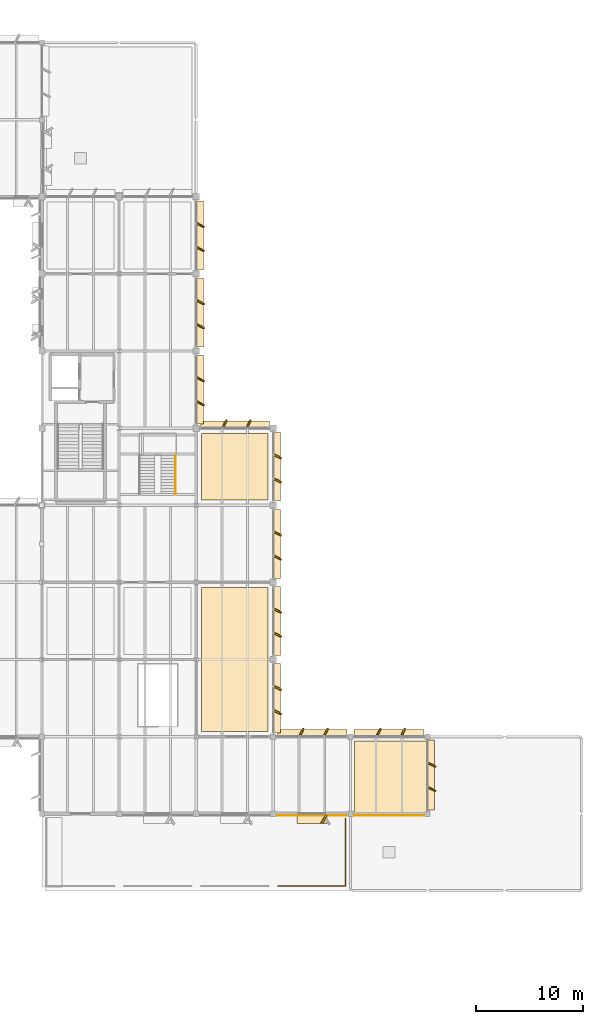
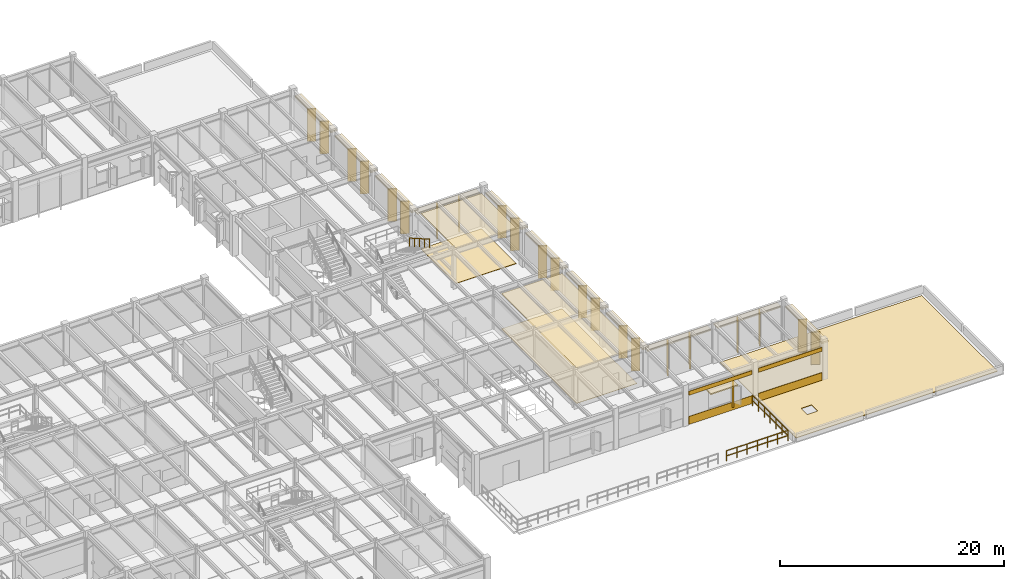
# One storey, part 92 of 92: 44 coverings, 3 railings.
"""IFC4 building model written with IfcOpenShell, lengths in metres."""

from ifc_helpers import new_model, si_unit, direction, frame, frame_2d, origin, origin_2d, place, context, subcontext, project, spatial, polyline, rectangle, circle, outline, extrude, material, layer, layer_set, type_object, element, save


model = new_model("IFC4")

# Units and contexts
model_context = context("Model", 3, precision=1e-05, world=origin(), true_north=direction((0.0, 1.0)))
body_context = subcontext(model_context, "Body", "Model", "MODEL_VIEW")
ifc_project = project(units=[si_unit("LENGTHUNIT", "METRE"), si_unit("AREAUNIT", "SQUARE_METRE"), si_unit("VOLUMEUNIT", "CUBIC_METRE"), si_unit("PLANEANGLEUNIT", "RADIAN"), si_unit("MASSUNIT", "GRAM", prefix="KILO")], contexts=[model_context])

# Site, building, storey
site_placement = place(None, origin())
site = spatial("IfcSite", under=ifc_project, at=site_placement, CompositionType="ELEMENT")
building_placement = place(site_placement, origin())
building = spatial("IfcBuilding", under=site, at=building_placement, Name="Sillqori Civic Hall", CompositionType="ELEMENT")
storey_placement = place(building_placement, frame((0.0, 0.0, 5.39990234375)))
storey = spatial("IfcBuildingStorey", under=building, at=storey_placement, Name="L02", CompositionType="ELEMENT", Elevation=5.39990234375)

# Coverings
ifc_material_1 = material(Name="Acoustic Gypsum Board Assembly 28", Category="gypsum")
ifc_layer_1 = layer(ifc_material_1, 0.028076171875)
ifc_layer_set_1 = layer_set([ifc_layer_1], Name="Acoustic Gypsum Board Assembly 28")
covering_type_1 = type_object("IfcCoveringType", Name="COV-CEIL-G28", PredefinedType="CEILING", material=ifc_layer_set_1)
covering_1_placement = place(storey_placement, frame((0.0, 0.0, 3.873046875)))
element("IfcCovering", 1, at=covering_1_placement, inside=storey, type_object=covering_type_1, Name="Members Library Main Reading Room L02-05 acoustic ceiling", PredefinedType="CEILING", context=body_context, shape_type="SweptSolid", body=[
    extrude(outline(polyline([(137.280029296875, 29.280029296875), (143.52001953125, 29.280029296875), (143.52001953125, 42.719970703125), (137.280029296875, 42.719970703125), (137.280029296875, 29.280029296875)])), origin(), (0.0, 0.0, 1.0), 0.028076171875),
])
ifc_material_2 = material(Name="Acoustic Gypsum Board Assembly 34", Category="gypsum")
ifc_layer_2 = layer(ifc_material_2, 0.033935546875)
ifc_layer_set_2 = layer_set([ifc_layer_2], Name="Acoustic Gypsum Board Assembly 34")
covering_type_2 = type_object("IfcCoveringType", Name="COV-CEIL-G34", PredefinedType="CEILING", material=ifc_layer_set_2)
covering_2_placement = place(storey_placement, frame((0.0, 0.0, 3.8671875)))
element("IfcCovering", 2, at=covering_2_placement, inside=storey, type_object=covering_type_2, Name="Library Open Book Stacks North L02-06 acoustic ceiling", PredefinedType="CEILING", context=body_context, shape_type="SweptSolid", body=[
    extrude(outline(polyline([(137.280029296875, 50.8798828125), (143.52001953125, 50.8798828125), (143.52001953125, 57.1201171875), (137.280029296875, 57.1201171875), (137.280029296875, 50.8798828125)])), origin(), (0.0, 0.0, 1.0), 0.033935546875),
])
ifc_material_3 = material(Name="Cochabamba Honed Limestone Cladding", Category="masonry")
ifc_layer_3 = layer(ifc_material_3, 0.044921875)
ifc_layer_set_3 = layer_set([ifc_layer_3], Name="Cochabamba Honed Limestone Cladding")
covering_type_3 = type_object("IfcCoveringType", Name="COV-CLAD-LIME", PredefinedType="CLADDING", material=ifc_layer_set_3)
covering_3_placement = place(storey_placement, frame((137.1201171875, 64.419921875, 3.587158203125), z_axis=(0.0, 0.0, 1.0), x_axis=(0.0, -1.0, 0.0)))
element("IfcCovering", 3, at=covering_3_placement, inside=storey, type_object=covering_type_3, Name="L02 curtain-wall limestone solar hood L02-18-08-E", PredefinedType="CLADDING", context=body_context, shape_type="SweptSolid", body=[
    extrude(rectangle(XDim=6.43994140625, YDim=0.679931640625, at=frame_2d((3.219970703125, 0.0))), origin(), (0.0, 0.0, 1.0), 0.179931640625),
])
for number, where, z_axis, x_axis, name in (
    (4, (136.85009765625, 62.322021484375, 0.06005859375), (0.0, 0.0, 1.0), (0.894366527193, -0.447334902547, 0.0), "L02 curtain-wall angled stone fin L02-18-08-E.1"),
    (5, (136.85009765625, 60.077880859375, 0.06005859375), (0.0, 0.0, 1.0), (0.894487846579, -0.44709226377, 0.0), "L02 curtain-wall angled stone fin L02-18-08-E.2"),
):
    element("IfcCovering", number, at=place(storey_placement, frame(where, z_axis=z_axis, x_axis=x_axis)), inside=storey, type_object=covering_type_3, Name=name, PredefinedType="CLADDING", context=body_context, shape_type="SweptSolid", body=[
        extrude(rectangle(XDim=0.804931640625, YDim=0.139892578125, at=frame_2d((0.40234375, 0.0))), origin(), (0.0, 0.0, 1.0), 3.527099609375),
    ])
covering_4_placement = place(storey_placement, frame((137.1201171875, 71.6201171875, 3.587158203125), z_axis=(0.0, 0.0, 1.0), x_axis=(0.0, -1.0, 0.0)))
element("IfcCovering", 6, at=covering_4_placement, inside=storey, type_object=covering_type_3, Name="L02 curtain-wall limestone solar hood L02-18-09-E", PredefinedType="CLADDING", context=body_context, shape_type="SweptSolid", body=[
    extrude(rectangle(XDim=6.440185546875, YDim=0.679931640625, at=frame_2d((3.22021484375, 0.0))), origin(), (0.0, 0.0, 1.0), 0.179931640625),
])
for number, where, z_axis, x_axis, name in (
    (7, (136.85009765625, 69.52197265625, 0.06005859375), (0.0, 0.0, 1.0), (0.894487846579, -0.44709226377, 0.0), "L02 curtain-wall angled stone fin L02-18-09-E.1"),
    (8, (136.85009765625, 67.278076171875, 0.06005859375), (0.0, 0.0, 1.0), (0.894366527193, -0.447334902547, 0.0), "L02 curtain-wall angled stone fin L02-18-09-E.2"),
):
    element("IfcCovering", number, at=place(storey_placement, frame(where, z_axis=z_axis, x_axis=x_axis)), inside=storey, type_object=covering_type_3, Name=name, PredefinedType="CLADDING", context=body_context, shape_type="SweptSolid", body=[
        extrude(rectangle(XDim=0.804931640625, YDim=0.139892578125, at=frame_2d((0.40234375, 0.0))), origin(), (0.0, 0.0, 1.0), 3.527099609375),
    ])
covering_5_placement = place(storey_placement, frame((137.1201171875, 78.820068359375, 3.587158203125), z_axis=(0.0, 0.0, 1.0), x_axis=(0.0, -1.0, 0.0)))
element("IfcCovering", 9, at=covering_5_placement, inside=storey, type_object=covering_type_3, Name="L02 curtain-wall limestone solar hood L02-18-10-E", PredefinedType="CLADDING", context=body_context, shape_type="SweptSolid", body=[
    extrude(rectangle(XDim=6.440185546875, YDim=0.679931640625, at=frame_2d((3.22021484375, 0.0))), origin(), (0.0, 0.0, 1.0), 0.179931640625),
])
for number, where, z_axis, x_axis, name in (
    (10, (136.85009765625, 76.721923828125, 0.06005859375), (0.0, 0.0, 1.0), (0.894487846579, -0.44709226377, 0.0), "L02 curtain-wall angled stone fin L02-18-10-E.1"),
    (11, (136.85009765625, 74.47802734375, 0.06005859375), (0.0, 0.0, 1.0), (0.894366527193, -0.447334902547, 0.0), "L02 curtain-wall angled stone fin L02-18-10-E.2"),
):
    element("IfcCovering", number, at=place(storey_placement, frame(where, z_axis=z_axis, x_axis=x_axis)), inside=storey, type_object=covering_type_3, Name=name, PredefinedType="CLADDING", context=body_context, shape_type="SweptSolid", body=[
        extrude(rectangle(XDim=0.804931640625, YDim=0.139892578125, at=frame_2d((0.40234375, 0.0))), origin(), (0.0, 0.0, 1.0), 3.527099609375),
    ])
covering_6_placement = place(storey_placement, frame((144.320068359375, 35.6201171875, 3.587158203125), z_axis=(0.0, 0.0, 1.0), x_axis=(0.0, -1.0, 0.0)))
element("IfcCovering", 12, at=covering_6_placement, inside=storey, type_object=covering_type_3, Name="L02 curtain-wall limestone solar hood L02-19-04-E", PredefinedType="CLADDING", context=body_context, shape_type="SweptSolid", body=[
    extrude(rectangle(XDim=6.490234375, YDim=0.679931640625, at=frame_2d((3.2451171875, 0.0))), origin(), (0.0, 0.0, 1.0), 0.179931640625),
])
for number, where, z_axis, x_axis, name in (
    (13, (144.050048828125, 33.505615234375, 0.06005859375), (0.0, 0.0, 1.0), (0.894366527193, -0.447334902547, 0.0), "L02 curtain-wall angled stone fin L02-19-04-E.1"),
    (14, (144.050048828125, 31.244384765625, 0.06005859375), (0.0, 0.0, 1.0), (0.894487846579, -0.44709226377, 0.0), "L02 curtain-wall angled stone fin L02-19-04-E.2"),
):
    element("IfcCovering", number, at=place(storey_placement, frame(where, z_axis=z_axis, x_axis=x_axis)), inside=storey, type_object=covering_type_3, Name=name, PredefinedType="CLADDING", context=body_context, shape_type="SweptSolid", body=[
        extrude(rectangle(XDim=0.804931640625, YDim=0.139892578125, at=frame_2d((0.40234375, 0.0))), origin(), (0.0, 0.0, 1.0), 3.527099609375),
    ])
covering_7_placement = place(storey_placement, frame((144.320068359375, 42.820068359375, 3.587158203125), z_axis=(0.0, 0.0, 1.0), x_axis=(0.0, -1.0, 0.0)))
element("IfcCovering", 15, at=covering_7_placement, inside=storey, type_object=covering_type_3, Name="L02 curtain-wall limestone solar hood L02-19-05-E", PredefinedType="CLADDING", context=body_context, shape_type="SweptSolid", body=[
    extrude(rectangle(XDim=6.440185546875, YDim=0.679931640625, at=frame_2d((3.22021484375, 0.0))), origin(), (0.0, 0.0, 1.0), 0.179931640625),
])
for number, where, z_axis, x_axis, name in (
    (16, (144.050048828125, 40.721923828125, 0.06005859375), (0.0, 0.0, 1.0), (0.894487846579, -0.44709226377, 0.0), "L02 curtain-wall angled stone fin L02-19-05-E.1"),
    (17, (144.050048828125, 38.47802734375, 0.06005859375), (0.0, 0.0, 1.0), (0.894366527193, -0.447334902547, 0.0), "L02 curtain-wall angled stone fin L02-19-05-E.2"),
):
    element("IfcCovering", number, at=place(storey_placement, frame(where, z_axis=z_axis, x_axis=x_axis)), inside=storey, type_object=covering_type_3, Name=name, PredefinedType="CLADDING", context=body_context, shape_type="SweptSolid", body=[
        extrude(rectangle(XDim=0.804931640625, YDim=0.139892578125, at=frame_2d((0.40234375, 0.0))), origin(), (0.0, 0.0, 1.0), 3.527099609375),
    ])
covering_8_placement = place(storey_placement, frame((144.320068359375, 50.02001953125, 3.587158203125), z_axis=(0.0, 0.0, 1.0), x_axis=(0.0, -1.0, 0.0)))
element("IfcCovering", 18, at=covering_8_placement, inside=storey, type_object=covering_type_3, Name="L02 curtain-wall limestone solar hood L02-19-06-E", PredefinedType="CLADDING", context=body_context, shape_type="SweptSolid", body=[
    extrude(rectangle(XDim=6.43994140625, YDim=0.679931640625, at=frame_2d((3.219970703125, 0.0))), origin(), (0.0, 0.0, 1.0), 0.179931640625),
])
for number, where, z_axis, x_axis, name in (
    (19, (144.050048828125, 47.922119140625, 0.06005859375), (0.0, 0.0, 1.0), (0.894366527193, -0.447334902547, 0.0), "L02 curtain-wall angled stone fin L02-19-06-E.1"),
    (20, (144.050048828125, 45.677978515625, 0.06005859375), (0.0, 0.0, 1.0), (0.894487846579, -0.44709226377, 0.0), "L02 curtain-wall angled stone fin L02-19-06-E.2"),
):
    element("IfcCovering", number, at=place(storey_placement, frame(where, z_axis=z_axis, x_axis=x_axis)), inside=storey, type_object=covering_type_3, Name=name, PredefinedType="CLADDING", context=body_context, shape_type="SweptSolid", body=[
        extrude(rectangle(XDim=0.804931640625, YDim=0.139892578125, at=frame_2d((0.40234375, 0.0))), origin(), (0.0, 0.0, 1.0), 3.527099609375),
    ])
covering_9_placement = place(storey_placement, frame((137.179931640625, 57.919921875, 3.508056640625), z_axis=(0.0, 0.0, 1.0), x_axis=(1.0, 0.0, 0.0)))
element("IfcCovering", 21, at=covering_9_placement, inside=storey, type_object=covering_type_3, Name="L02 curtain-wall limestone solar hood L02-19-07-N", PredefinedType="CLADDING", context=body_context, shape_type="SweptSolid", body=[
    extrude(rectangle(XDim=6.440185546875, YDim=0.679931640625, at=frame_2d((3.22021484375, 0.0))), origin(), (0.0, 0.0, 1.0), 0.179931640625),
])
for number, where, z_axis, x_axis, name in (
    (22, (139.278076171875, 57.64990234375, 0.06005859375), (0.0, 0.0, 1.0), (0.44697098964, 0.894548452807, 0.0), "L02 curtain-wall angled stone fin L02-19-07-N.1"),
    (23, (141.52197265625, 57.64990234375, 0.06005859375), (0.0, 0.0, 1.0), (0.4472135955, 0.894427191, 0.0), "L02 curtain-wall angled stone fin L02-19-07-N.2"),
):
    element("IfcCovering", number, at=place(storey_placement, frame(where, z_axis=z_axis, x_axis=x_axis)), inside=storey, type_object=covering_type_3, Name=name, PredefinedType="CLADDING", context=body_context, shape_type="SweptSolid", body=[
        extrude(rectangle(XDim=0.80517578125, YDim=0.139892578125, at=frame_2d((0.402587890625, 0.0))), origin(), (0.0, 0.0, 1.0), 3.447998046875),
    ])
covering_10_placement = place(storey_placement, frame((144.320068359375, 57.219970703125, 3.587158203125), z_axis=(0.0, 0.0, 1.0), x_axis=(0.0, -1.0, 0.0)))
element("IfcCovering", 24, at=covering_10_placement, inside=storey, type_object=covering_type_3, Name="L02 curtain-wall limestone solar hood L02-19-07-E", PredefinedType="CLADDING", context=body_context, shape_type="SweptSolid", body=[
    extrude(rectangle(XDim=6.43994140625, YDim=0.679931640625, at=frame_2d((3.219970703125, 0.0))), origin(), (0.0, 0.0, 1.0), 0.179931640625),
])
for number, where, z_axis, x_axis, name in (
    (25, (144.050048828125, 55.1220703125, 0.06005859375), (0.0, 0.0, 1.0), (0.894366527193, -0.447334902547, 0.0), "L02 curtain-wall angled stone fin L02-19-07-E.1"),
    (26, (144.050048828125, 52.8779296875, 0.06005859375), (0.0, 0.0, 1.0), (0.894487846579, -0.44709226377, 0.0), "L02 curtain-wall angled stone fin L02-19-07-E.2"),
):
    element("IfcCovering", number, at=place(storey_placement, frame(where, z_axis=z_axis, x_axis=x_axis)), inside=storey, type_object=covering_type_3, Name=name, PredefinedType="CLADDING", context=body_context, shape_type="SweptSolid", body=[
        extrude(rectangle(XDim=0.804931640625, YDim=0.139892578125, at=frame_2d((0.40234375, 0.0))), origin(), (0.0, 0.0, 1.0), 3.527099609375),
    ])
covering_11_placement = place(storey_placement, frame((150.8701171875, 21.429931640625, 0.0400390625), z_axis=(0.0, 0.0, 1.0), x_axis=(-1.0, 0.0, 0.0)))
element("IfcCovering", 27, at=covering_11_placement, inside=storey, type_object=covering_type_3, Name="L02 limestone spandrel cladding L02-20-03-S", PredefinedType="CLADDING", context=body_context, shape_type="SweptSolid", body=[
    extrude(rectangle(XDim=6.5400390625, YDim=0.044921875, at=frame_2d((3.27001953125, 0.0))), origin(), (0.0, 0.0, 1.0), 0.860107421875),
])
covering_12_placement = place(storey_placement, frame((150.8701171875, 21.429931640625, 3.22021484375), z_axis=(0.0, 0.0, 1.0), x_axis=(-1.0, 0.0, 0.0)))
element("IfcCovering", 28, at=covering_12_placement, inside=storey, type_object=covering_type_3, Name="L02 limestone frieze cladding L02-20-03-S", PredefinedType="CLADDING", context=body_context, shape_type="SweptSolid", body=[
    extrude(rectangle(XDim=6.5400390625, YDim=0.044921875, at=frame_2d((3.27001953125, 0.0))), origin(), (0.0, 0.0, 1.0), 0.427978515625),
])
covering_13_placement = place(storey_placement, frame((148.945068359375, 21.469970703125, 0.830078125), z_axis=(0.0, 0.0, 1.0), x_axis=(-0.500062241894, -0.865989465428, 0.0)))
element("IfcCovering", 29, at=covering_13_placement, inside=storey, type_object=covering_type_3, Name="Sawtooth limestone angled reveal cheek L02-20-03-S.1", PredefinedType="CLADDING", context=body_context, shape_type="SweptSolid", body=[
    extrude(rectangle(XDim=0.85009765625, YDim=0.179931640625, at=frame_2d((0.425048828125, 0.0))), origin(), (0.0, 0.0, 1.0), 2.35009765625),
])
covering_14_placement = place(storey_placement, frame((149.0048828125, 21.090087890625, 3.0400390625), z_axis=(0.0, 0.0, 1.0), x_axis=(-1.0, 0.0, 0.0)))
element("IfcCovering", 30, at=covering_14_placement, inside=storey, type_object=covering_type_3, Name="Sawtooth limestone window hood L02-20-03-S.1", PredefinedType="CLADDING", context=body_context, shape_type="SweptSolid", body=[
    extrude(rectangle(XDim=2.809814453125, YDim=0.780029296875, at=frame_2d((1.40478515625, 0.0))), origin(), (0.0, 0.0, 1.0), 0.14013671875),
])
covering_15_placement = place(storey_placement, frame((144.330078125, 29.1201171875, 3.508056640625), z_axis=(0.0, 0.0, 1.0), x_axis=(1.0, 0.0, 0.0)))
element("IfcCovering", 31, at=covering_15_placement, inside=storey, type_object=covering_type_3, Name="L02 curtain-wall limestone solar hood L02-20-03-N", PredefinedType="CLADDING", context=body_context, shape_type="SweptSolid", body=[
    extrude(rectangle(XDim=6.5400390625, YDim=0.679931640625, at=frame_2d((3.27001953125, 0.0))), origin(), (0.0, 0.0, 1.0), 0.179931640625),
])
for number, where, z_axis, x_axis, name in (
    (32, (146.4609375, 28.85009765625, 0.06005859375), (0.0, 0.0, 1.0), (0.447334902547, 0.894366527193, 0.0), "L02 curtain-wall angled stone fin L02-20-03-N.1"),
    (33, (148.739013671875, 28.85009765625, 0.06005859375), (0.0, 0.0, 1.0), (0.447334902547, 0.894366527193, 0.0), "L02 curtain-wall angled stone fin L02-20-03-N.2"),
):
    element("IfcCovering", number, at=place(storey_placement, frame(where, z_axis=z_axis, x_axis=x_axis)), inside=storey, type_object=covering_type_3, Name=name, PredefinedType="CLADDING", context=body_context, shape_type="SweptSolid", body=[
        extrude(rectangle(XDim=0.804931640625, YDim=0.139892578125, at=frame_2d((0.40234375, 0.0))), origin(), (0.0, 0.0, 1.0), 3.447998046875),
    ])
covering_16_placement = place(storey_placement, frame((158.070068359375, 21.429931640625, 0.0400390625), z_axis=(0.0, 0.0, 1.0), x_axis=(-1.0, 0.0, 0.0)))
element("IfcCovering", 34, at=covering_16_placement, inside=storey, type_object=covering_type_3, Name="L02 limestone spandrel cladding L02-21-03-S", PredefinedType="CLADDING", context=body_context, shape_type="SweptSolid", body=[
    extrude(rectangle(XDim=6.5400390625, YDim=0.044921875, at=frame_2d((3.27001953125, 0.0))), origin(), (0.0, 0.0, 1.0), 0.860107421875),
])
covering_17_placement = place(storey_placement, frame((158.070068359375, 21.429931640625, 3.22021484375), z_axis=(0.0, 0.0, 1.0), x_axis=(-1.0, 0.0, 0.0)))
element("IfcCovering", 35, at=covering_17_placement, inside=storey, type_object=covering_type_3, Name="L02 limestone frieze cladding L02-21-03-S", PredefinedType="CLADDING", context=body_context, shape_type="SweptSolid", body=[
    extrude(rectangle(XDim=6.5400390625, YDim=0.044921875, at=frame_2d((3.27001953125, 0.0))), origin(), (0.0, 0.0, 1.0), 0.427978515625),
])
covering_18_placement = place(storey_placement, frame((151.530029296875, 29.1201171875, 3.508056640625), z_axis=(0.0, 0.0, 1.0), x_axis=(1.0, 0.0, 0.0)))
element("IfcCovering", 36, at=covering_18_placement, inside=storey, type_object=covering_type_3, Name="L02 curtain-wall limestone solar hood L02-21-03-N", PredefinedType="CLADDING", context=body_context, shape_type="SweptSolid", body=[
    extrude(rectangle(XDim=6.5400390625, YDim=0.679931640625, at=frame_2d((3.27001953125, 0.0))), origin(), (0.0, 0.0, 1.0), 0.179931640625),
])
for number, where, z_axis, x_axis, name in (
    (37, (153.660888671875, 28.85009765625, 0.06005859375), (0.0, 0.0, 1.0), (0.447334902547, 0.894366527193, 0.0), "L02 curtain-wall angled stone fin L02-21-03-N.1"),
    (38, (155.93896484375, 28.85009765625, 0.06005859375), (0.0, 0.0, 1.0), (0.447334902547, 0.894366527193, 0.0), "L02 curtain-wall angled stone fin L02-21-03-N.2"),
):
    element("IfcCovering", number, at=place(storey_placement, frame(where, z_axis=z_axis, x_axis=x_axis)), inside=storey, type_object=covering_type_3, Name=name, PredefinedType="CLADDING", context=body_context, shape_type="SweptSolid", body=[
        extrude(rectangle(XDim=0.804931640625, YDim=0.139892578125, at=frame_2d((0.40234375, 0.0))), origin(), (0.0, 0.0, 1.0), 3.447998046875),
    ])
covering_19_placement = place(storey_placement, frame((158.719970703125, 28.469970703125, 3.587158203125), z_axis=(0.0, 0.0, 1.0), x_axis=(0.0, -1.0, 0.0)))
element("IfcCovering", 39, at=covering_19_placement, inside=storey, type_object=covering_type_3, Name="L02 curtain-wall limestone solar hood L02-21-03-E", PredefinedType="CLADDING", context=body_context, shape_type="SweptSolid", body=[
    extrude(rectangle(XDim=6.5400390625, YDim=0.679931640625, at=frame_2d((3.27001953125, 0.0))), origin(), (0.0, 0.0, 1.0), 0.179931640625),
])
for number, where, z_axis, x_axis, name in (
    (40, (158.449951171875, 26.339111328125, 0.06005859375), (0.0, 0.0, 1.0), (0.894366527193, -0.447334902547, 0.0), "L02 curtain-wall angled stone fin L02-21-03-E.1"),
    (41, (158.449951171875, 24.06103515625, 0.06005859375), (0.0, 0.0, 1.0), (0.894366527193, -0.447334902547, 0.0), "L02 curtain-wall angled stone fin L02-21-03-E.2"),
):
    element("IfcCovering", number, at=place(storey_placement, frame(where, z_axis=z_axis, x_axis=x_axis)), inside=storey, type_object=covering_type_3, Name=name, PredefinedType="CLADDING", context=body_context, shape_type="SweptSolid", body=[
        extrude(rectangle(XDim=0.804931640625, YDim=0.139892578125, at=frame_2d((0.40234375, 0.0))), origin(), (0.0, 0.0, 1.0), 3.527099609375),
    ])
ifc_material_4 = material(Name="Honed Comanche Sandstone Paving 38", Category="masonry")
ifc_layer_4 = layer(ifc_material_4, 0.0380859375)
ifc_layer_set_4 = layer_set([ifc_layer_4], Name="Honed Comanche Sandstone Paving 38")
covering_type_4 = type_object("IfcCoveringType", Name="COV-FLR-S38", PredefinedType="FLOORING", material=ifc_layer_set_4)
covering_20_placement = place(storey_placement, origin())
element("IfcCovering", 42, at=covering_20_placement, inside=storey, type_object=covering_type_4, Name="Members Library Main Reading Room L02-05 floor finish", PredefinedType="FLOORING", context=body_context, shape_type="SweptSolid", body=[
    extrude(outline(polyline([(137.280029296875, 29.280029296875), (143.52001953125, 29.280029296875), (143.52001953125, 42.719970703125), (137.280029296875, 42.719970703125), (137.280029296875, 29.280029296875)])), origin(), (0.0, 0.0, 1.0), 0.0380859375),
])
ifc_material_5 = material(Name="Honed Comanche Sandstone Paving 44", Category="masonry")
ifc_layer_5 = layer(ifc_material_5, 0.0439453125)
ifc_layer_set_5 = layer_set([ifc_layer_5], Name="Honed Comanche Sandstone Paving 44")
covering_type_5 = type_object("IfcCoveringType", Name="COV-FLR-S44", PredefinedType="FLOORING", material=ifc_layer_set_5)
covering_21_placement = place(storey_placement, origin())
element("IfcCovering", 43, at=covering_21_placement, inside=storey, type_object=covering_type_5, Name="Library Open Book Stacks North L02-06 floor finish", PredefinedType="FLOORING", context=body_context, shape_type="SweptSolid", body=[
    extrude(outline(polyline([(137.280029296875, 50.8798828125), (143.52001953125, 50.8798828125), (143.52001953125, 57.1201171875), (137.280029296875, 57.1201171875), (137.280029296875, 50.8798828125)])), origin(), (0.0, 0.0, 1.0), 0.044189453125),
])
ifc_material_6 = material(Name="Insulated Standing-Seam Solar Roof Membrane", Category="membrane")
ifc_layer_6 = layer(ifc_material_6, 0.054931640625)
ifc_layer_set_6 = layer_set([ifc_layer_6], Name="Insulated Standing-Seam Solar Roof Membrane")
covering_type_6 = type_object("IfcCoveringType", Name="COV-ROOF-TPO", PredefinedType="ROOFING", material=ifc_layer_set_6)
covering_22_placement = place(storey_placement, origin())
element("IfcCovering", 44, at=covering_22_placement, inside=storey, type_object=covering_type_6, Name="L02 insulated TPO roof membrane ROOF-FLAT-L01-3", PredefinedType="ROOFING", context=body_context, shape_type="SweptSolid", body=[
    extrude(outline(polyline([(151.60009765625, 14.800048828125), (172.39990234375, 14.800048828125), (172.39990234375, 28.39990234375), (151.60009765625, 28.39990234375), (151.60009765625, 14.800048828125)]), holes=[polyline([(154.25, 17.449951171875), (154.25, 18.550048828125), (155.35009765625, 18.550048828125), (155.35009765625, 17.449951171875), (154.25, 17.449951171875)])]), origin(), (0.0, 0.0, 1.0), 0.05517578125),
])

# Railings
ifc_material_7 = material(Name="Architectural Bronze and Tempered Glass Balustrade", Category="glass")
ifc_layer_7 = layer(ifc_material_7, 0.080078125)
ifc_layer_set_7 = layer_set([ifc_layer_7], Name="Architectural Bronze and Tempered Glass Balustrade")
railing_type_1 = type_object("IfcRailingType", Name="RLG-BALU-115", PredefinedType="BALUSTRADE", material=ifc_layer_set_7)
railing_1_placement = place(storey_placement, frame((144.43994140625, 14.840087890625, 0.0)))
element("IfcRailing", 45, at=railing_1_placement, inside=storey, type_object=railing_type_1, Name="Library South Reading Terrace perimeter guard S-04", PredefinedType="BALUSTRADE", context=body_context, shape_type="SweptSolid", body=[
    extrude(circle(Radius=0.02392578125, at=origin_2d()), frame((0.0, 0.0, 1.1259765625), z_axis=(1.0, 0.0, 0.0), x_axis=(0.0, 1.0, 0.0)), (0.0, 0.0, 1.0), 6.320068359375),
    extrude(circle(Radius=0.02392578125, at=origin_2d()), frame((0.0, 0.0, 0.574951171875), z_axis=(1.0, 0.0, 0.0), x_axis=(0.0, 1.0, 0.0)), (0.0, 0.0, 1.0), 6.320068359375),
    extrude(circle(Radius=0.02099609375, at=origin_2d()), origin(), (0.0, 0.0, 1.0), 1.101806640625),
    extrude(circle(Radius=0.02099609375, at=origin_2d()), frame((1.05322265625, 0.0, 0.0)), (0.0, 0.0, 1.0), 1.101806640625),
    extrude(circle(Radius=0.02099609375, at=origin_2d()), frame((2.106689453125, 0.0, 0.0)), (0.0, 0.0, 1.0), 1.101806640625),
    extrude(circle(Radius=0.02099609375, at=origin_2d()), frame((3.16015625, 0.0, 0.0)), (0.0, 0.0, 1.0), 1.101806640625),
    extrude(circle(Radius=0.02099609375, at=origin_2d()), frame((4.21337890625, 0.0, 0.0)), (0.0, 0.0, 1.0), 1.101806640625),
    extrude(circle(Radius=0.02099609375, at=origin_2d()), frame((5.2666015625, 0.0, 0.0)), (0.0, 0.0, 1.0), 1.101806640625),
    extrude(circle(Radius=0.02099609375, at=origin_2d()), frame((6.320068359375, 0.0, 0.0)), (0.0, 0.0, 1.0), 1.101806640625),
])
railing_2_placement = place(storey_placement, frame((150.760009765625, 14.840087890625, 0.0)))
element("IfcRailing", 46, at=railing_2_placement, inside=storey, type_object=railing_type_1, Name="Library South Reading Terrace perimeter guard E-06", PredefinedType="BALUSTRADE", context=body_context, shape_type="SweptSolid", body=[
    extrude(circle(Radius=0.02392578125, at=origin_2d()), frame((0.0, 0.0, 1.1259765625), z_axis=(0.0, 1.0, 0.0), x_axis=(-1.0, 0.0, 0.0)), (0.0, 0.0, 1.0), 6.31982421875),
    extrude(circle(Radius=0.02392578125, at=origin_2d()), frame((0.0, 0.0, 0.574951171875), z_axis=(0.0, 1.0, 0.0), x_axis=(-1.0, 0.0, 0.0)), (0.0, 0.0, 1.0), 6.31982421875),
    extrude(circle(Radius=0.02099609375, at=origin_2d()), origin(), (0.0, 0.0, 1.0), 1.101806640625),
    extrude(circle(Radius=0.02099609375, at=origin_2d()), frame((0.0, 1.05322265625, 0.0)), (0.0, 0.0, 1.0), 1.101806640625),
    extrude(circle(Radius=0.02099609375, at=origin_2d()), frame((0.0, 2.106689453125, 0.0)), (0.0, 0.0, 1.0), 1.101806640625),
    extrude(circle(Radius=0.02099609375, at=origin_2d()), frame((0.0, 3.159912109375, 0.0)), (0.0, 0.0, 1.0), 1.101806640625),
    extrude(circle(Radius=0.02099609375, at=origin_2d()), frame((0.0, 4.213134765625, 0.0)), (0.0, 0.0, 1.0), 1.101806640625),
    extrude(circle(Radius=0.02099609375, at=origin_2d()), frame((0.0, 5.2666015625, 0.0)), (0.0, 0.0, 1.0), 1.101806640625),
    extrude(circle(Radius=0.02099609375, at=origin_2d()), frame((0.0, 6.31982421875, 0.0)), (0.0, 0.0, 1.0), 1.101806640625),
])
ifc_material_8 = material(Name="Brushed Stainless Steel 316 Handrail", Category="steel")
ifc_layer_8 = layer(ifc_material_8, 0.044921875)
ifc_layer_set_8 = layer_set([ifc_layer_8], Name="Brushed Stainless Steel 316 Handrail")
railing_type_2 = type_object("IfcRailingType", Name="RLG-CORE-092", PredefinedType="HANDRAIL", material=ifc_layer_set_8)
railing_3_placement = place(storey_placement, frame((134.8798828125, 55.0400390625, 2.410888671875)))
element("IfcRailing", 47, at=railing_3_placement, inside=storey, type_object=railing_type_2, Name="Members Library Stacks Stair L02-L03 handrail E", PredefinedType="HANDRAIL", context=body_context, shape_type="SweptSolid", body=[
    extrude(circle(Radius=0.02392578125, at=origin_2d()), frame((0.0, 0.0, 0.89599609375), z_axis=(0.0, -0.867314486057, 0.497760567216), x_axis=(1.0, 0.0, 0.0)), (0.0, 0.0, 1.0), 4.197021484375),
    extrude(circle(Radius=0.02099609375, at=origin_2d()), origin(), (0.0, 0.0, 1.0), 0.871826171875),
    extrude(circle(Radius=0.02099609375, at=origin_2d()), frame((0.0, -0.91015625, 0.522216796875)), (0.0, 0.0, 1.0), 0.871826171875),
    extrude(circle(Radius=0.02099609375, at=origin_2d()), frame((0.0, -1.820068359375, 1.04443359375)), (0.0, 0.0, 1.0), 0.871826171875),
    extrude(circle(Radius=0.02099609375, at=origin_2d()), frame((0.0, -2.72998046875, 1.56689453125)), (0.0, 0.0, 1.0), 0.871826171875),
    extrude(circle(Radius=0.02099609375, at=origin_2d()), frame((0.0, -3.64013671875, 2.089111328125)), (0.0, 0.0, 1.0), 0.871826171875),
])

save(model, "model.ifc")
